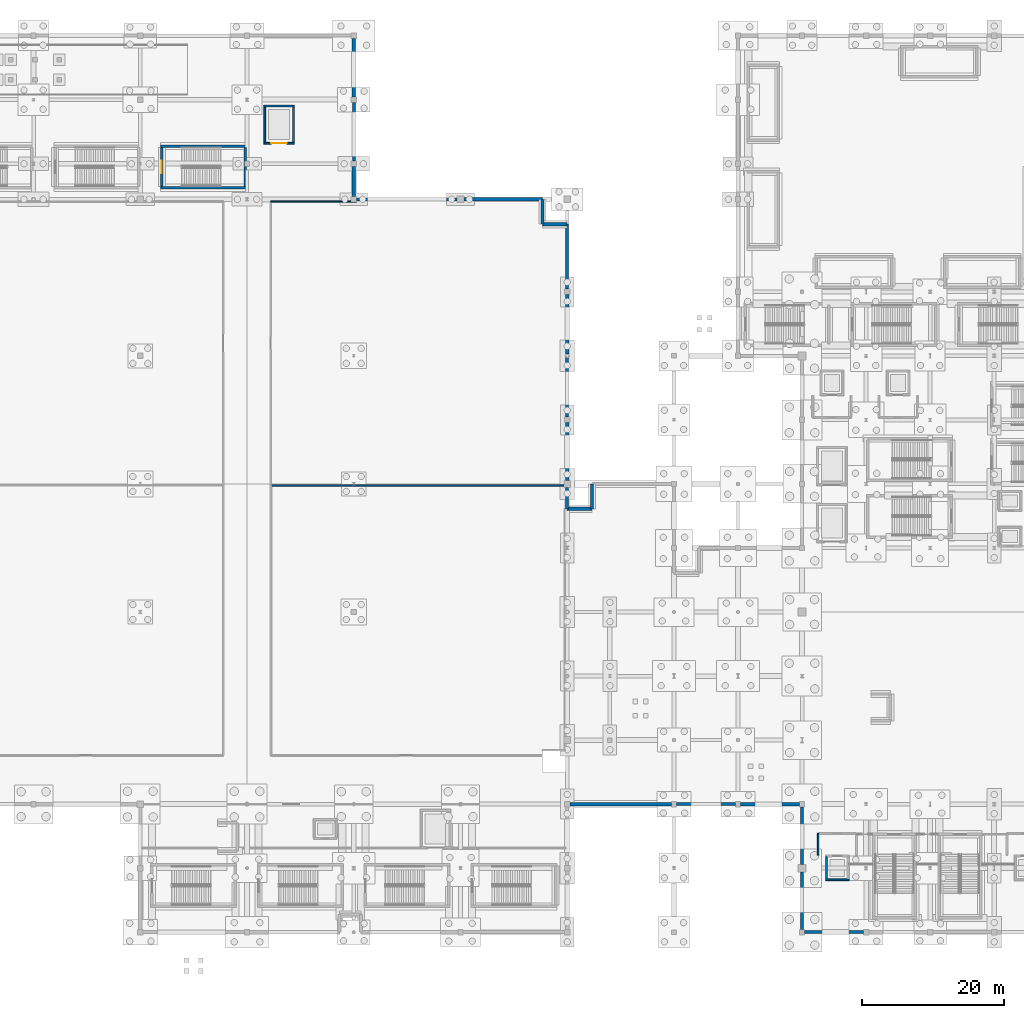
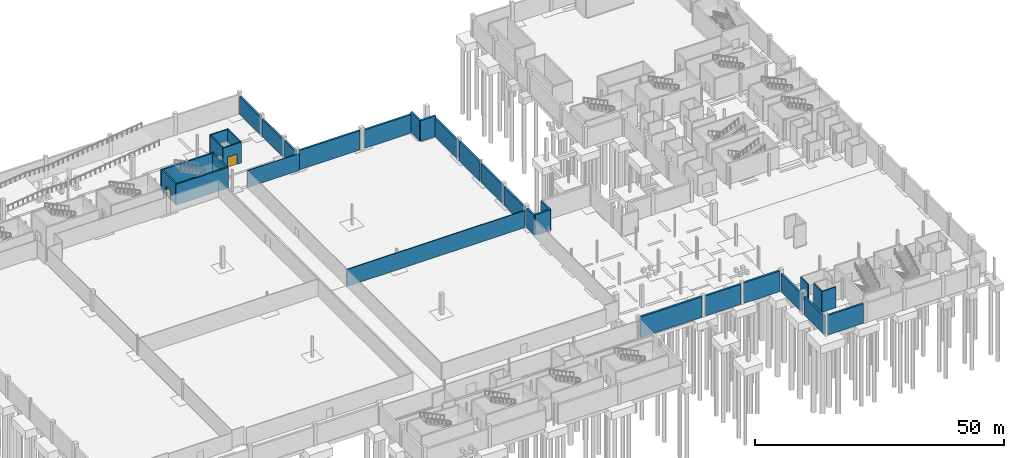
# One storey, part 41 of 58: 33 walls, 2 doors, 2 openings.
"""IFC4 building model written with IfcOpenShell, lengths in metres."""

from ifc_helpers import new_model, si_unit, direction, frame, frame_2d, origin, place, context, subcontext, project, spatial, rectangle, extrude, material, layer, layer_set, type_object, element, fill, save


model = new_model("IFC4")

# Units and contexts
model_context = context("Model", 3, precision=1e-05, world=origin(), true_north=direction((0.0, 1.0)))
body_context = subcontext(model_context, "Body", "Model", "MODEL_VIEW")
ifc_project = project(units=[si_unit("LENGTHUNIT", "METRE"), si_unit("AREAUNIT", "SQUARE_METRE"), si_unit("VOLUMEUNIT", "CUBIC_METRE"), si_unit("PLANEANGLEUNIT", "RADIAN"), si_unit("MASSUNIT", "GRAM", prefix="KILO")], contexts=[model_context])

# Site, building, storey
site_placement = place(None, origin())
site = spatial("IfcSite", under=ifc_project, at=site_placement, CompositionType="ELEMENT")
building_placement = place(site_placement, origin())
building = spatial("IfcBuilding", under=site, at=building_placement, Name="Qamarlyn Nura Convention Centre", CompositionType="ELEMENT")
storey_placement = place(building_placement, frame((0.0, 0.0, -5.39990234375)))
storey = spatial("IfcBuildingStorey", under=building, at=storey_placement, Name="B01", CompositionType="ELEMENT", Elevation=-5.39990234375)

# Walls
ifc_material_1 = material(Name="Fire-rated acoustic gypsum board and mineral wool EI 120")
ifc_layer_1 = layer(ifc_material_1, 0.219970703125, Name="WT-COMP-220")
ifc_layer_set_1 = layer_set([ifc_layer_1], Name="Fire-rated acoustic gypsum board and mineral wool EI 120")
wall_type_1 = type_object("IfcWallType", Name="WT-COMP-220", PredefinedType="SOLIDWALL", material=ifc_layer_set_1)
wall_1_placement = place(storey_placement, frame((155.25, 10.85009765625, 0.0), z_axis=(0.0, 0.0, 1.0), x_axis=(0.0, 1.0, 0.0)))
element("IfcWall", 1, at=wall_1_placement, inside=storey, type_object=wall_type_1, Name="B01 firefighting lobby barrier wall FFL-01-W", PredefinedType="SOLIDWALL", context=body_context, shape_type="SweptSolid", body=[
    extrude(rectangle(XDim=3.0498046875, YDim=0.219970703125, at=frame_2d((1.52490234375, 0.0))), origin(), (0.0, 0.0, 1.0), 5.099853515625),
])
ifc_material_2 = material(Name="Concrete C50/60", Category="concrete")
ifc_layer_2 = layer(ifc_material_2, 0.35009765625, Name="WT-CORE-350")
ifc_layer_set_2 = layer_set([ifc_layer_2], Name="Concrete C50/60")
wall_type_2 = type_object("IfcWallType", Name="WT-CORE-350", PredefinedType="SHEAR", material=ifc_layer_set_2)
for number, where, z_axis, x_axis, name in (
    (2, (62.85009765625, 104.625, 0.0), (0.0, 0.0, 1.0), (1.0, 0.0, 0.0), "B01 stair core shear wall ST-04-S"),
    (3, (74.949951171875, 110.47509765625, 0.0), (0.0, 0.0, 1.0), (-1.0, 0.0, 0.0), "B01 stair core shear wall ST-04-N"),
):
    element("IfcWall", number, at=place(storey_placement, frame(where, z_axis=z_axis, x_axis=x_axis)), inside=storey, type_object=wall_type_2, Name=name, PredefinedType="SHEAR", context=body_context, shape_type="SweptSolid", body=[
        extrude(rectangle(XDim=12.099853515625, YDim=0.35009765625, at=frame_2d((6.0498046875, 0.0))), origin(), (0.0, 0.0, 1.0), 5.079833984375),
    ])

# Wall, opening, door
wall_2_placement = place(storey_placement, frame((63.02490234375, 110.300048828125, 0.0), z_axis=(0.0, 0.0, 1.0), x_axis=(0.0, -1.0, 0.0)))
wall_2 = element("IfcWall", 4, at=wall_2_placement, inside=storey, type_object=wall_type_2, Name="B01 stair core shear wall ST-04-W", PredefinedType="SHEAR", context=body_context, shape_type="SweptSolid", body=[
    extrude(rectangle(XDim=5.5, YDim=0.35009765625, at=frame_2d((2.75, 0.0))), origin(), (0.0, 0.0, 1.0), 5.079833984375),
])
opening_1_placement = place(wall_2_placement, frame((1.85009765625, 0.0, 0.0)))
opening_1 = element("IfcOpeningElement", 5, at=opening_1_placement, cuts=wall_2, Name="Opening DS-010", PredefinedType="OPENING", context=body_context, shape_type="SweptSolid", body=[
    extrude(rectangle(XDim=1.800048828125, YDim=2.199951171875, at=frame_2d((0.89990234375, 1.10009765625))), frame((0.0, 0.18505859375, 0.0), z_axis=(0.0, -1.0, 0.0), x_axis=(1.0, 0.0, 0.0)), (0.0, 0.0, 1.0), 0.3701171875),
])
ifc_material_3 = material(Name="Galvanised fire-rated hollow steel door", Category="steel")
door_type_1 = type_object("IfcDoorType", Name="DR-STAIR-1800", OperationType="DOUBLE_DOOR_SINGLE_SWING", PredefinedType="DOOR", material=ifc_material_3)
door_1_placement = place(opening_1_placement, origin())
door_1 = element("IfcDoor", 6, at=door_1_placement, inside=storey, type_object=door_type_1, Name="B01 exit stair door ST-04 (DS-010)", OperationType="DOUBLE_DOOR_SINGLE_SWING", OverallHeight=2.199951171875, OverallWidth=1.800048828125, PredefinedType="DOOR", context=body_context, shape_type="SweptSolid", body=[
    extrude(rectangle(XDim=1.800048828125, YDim=2.199951171875, at=frame_2d((0.89990234375, 1.10009765625))), frame((0.0, 0.02490234375, 0.0), z_axis=(0.0, -1.0, 0.0), x_axis=(1.0, 0.0, 0.0)), (0.0, 0.0, 1.0), 0.050048828125),
])
fill(opening_1, door_1)

# Walls
wall_3_placement = place(storey_placement, frame((74.77490234375, 104.800048828125, 0.0), z_axis=(0.0, 0.0, 1.0), x_axis=(0.0, 1.0, 0.0)))
element("IfcWall", 7, at=wall_3_placement, inside=storey, type_object=wall_type_2, Name="B01 stair core shear wall ST-04-E", PredefinedType="SHEAR", context=body_context, shape_type="SweptSolid", body=[
    extrude(rectangle(XDim=5.5, YDim=0.35009765625, at=frame_2d((2.75, 0.0))), origin(), (0.0, 0.0, 1.0), 5.079833984375),
])
ifc_material_4 = material(Name="Fire-rated acoustic gypsum board EI 60")
ifc_layer_3 = layer(ifc_material_4, 0.159912109375, Name="WT-PART-160")
ifc_layer_set_3 = layer_set([ifc_layer_3], Name="Fire-rated acoustic gypsum board EI 60")
wall_type_3 = type_object("IfcWallType", Name="WT-PART-160", PredefinedType="PARTITIONING", material=ifc_layer_set_3)
wall_4_placement = place(storey_placement, frame((78.340087890625, 102.699951171875, 0.0), z_axis=(0.0, 0.0, 1.0), x_axis=(1.0, 0.0, 0.0)))
element("IfcWall", 8, at=wall_4_placement, inside=storey, type_object=wall_type_3, Name="B01 interior partition B01-PLT-ELEC-22-1", PredefinedType="PARTITIONING", context=body_context, shape_type="SweptSolid", body=[
    extrude(rectangle(XDim=12.034912109375, YDim=0.159912109375, at=frame_2d((6.017578125, 0.0))), origin(), (0.0, 0.0, 1.0), 4.179931640625),
])
ifc_layer_4 = layer(ifc_material_4, 0.199951171875, Name="WT-PART-200")
ifc_layer_set_4 = layer_set([ifc_layer_4], Name="Fire-rated acoustic gypsum board EI 60")
wall_type_4 = type_object("IfcWallType", Name="WT-PART-200", PredefinedType="PARTITIONING", material=ifc_layer_set_4)
wall_5_placement = place(storey_placement, frame((78.340087890625, 62.800048828125, 0.0), z_axis=(0.0, 0.0, 1.0), x_axis=(1.0, 0.0, 0.0)))
element("IfcWall", 9, at=wall_5_placement, inside=storey, type_object=wall_type_4, Name="B01 interior partition B01-PLT-CHIL-22-1", PredefinedType="PARTITIONING", context=body_context, shape_type="SweptSolid", body=[
    extrude(rectangle(XDim=41.179931640625, YDim=0.199951171875, at=frame_2d((20.58984375, 0.0))), origin(), (0.0, 0.0, 1.0), 4.179931640625),
])
ifc_material_5 = material(Name="Concrete C40/50", Category="concrete")
ifc_layer_5 = layer(ifc_material_5, 0.419921875, Name="WT-RET-420")
ifc_layer_set_5 = layer_set([ifc_layer_5], Name="Concrete C40/50")
wall_type_5 = type_object("IfcWallType", Name="WT-RET-420", PredefinedType="USERDEFINED", material=ifc_layer_set_5)
wall_6_placement = place(storey_placement, frame((90.0, 116.625, 0.0), z_axis=(0.0, 0.0, 1.0), x_axis=(0.0, -1.0, 0.0)))
element("IfcWall", 10, at=wall_6_placement, inside=storey, type_object=wall_type_5, Name="B01 perimeter retaining wall 24", ObjectType="RETAININGWALL", PredefinedType="USERDEFINED", context=body_context, shape_type="SweptSolid", body=[
    extrude(rectangle(XDim=8.25, YDim=0.419921875, at=frame_2d((4.125, 0.0))), origin(), (0.0, 0.0, 1.0), 4.2919921875),
])
wall_7_placement = place(storey_placement, frame((90.375, 103.0, 0.0), z_axis=(0.0, 0.0, 1.0), x_axis=(1.0, 0.0, 0.0)))
element("IfcWall", 11, at=wall_7_placement, inside=storey, type_object=wall_type_5, Name="B01 perimeter retaining wall 26", ObjectType="RETAININGWALL", PredefinedType="USERDEFINED", context=body_context, shape_type="SweptSolid", body=[
    extrude(rectangle(XDim=14.14990234375, YDim=0.419921875, at=frame_2d((7.074951171875, 0.0))), origin(), (0.0, 0.0, 1.0), 4.73486328125),
])
wall_8_placement = place(storey_placement, frame((116.5, 103.0, 0.0), z_axis=(0.0, 0.0, 1.0), x_axis=(0.0, -1.0, 0.0)))
element("IfcWall", 12, at=wall_8_placement, inside=storey, type_object=wall_type_5, Name="B01 perimeter retaining wall 28", ObjectType="RETAININGWALL", PredefinedType="USERDEFINED", context=body_context, shape_type="SweptSolid", body=[
    extrude(rectangle(XDim=3.5, YDim=0.419921875, at=frame_2d((1.75, 0.0))), origin(), (0.0, 0.0, 1.0), 5.0498046875),
])
wall_9_placement = place(storey_placement, frame((120.0, 99.5, 0.0), z_axis=(0.0, 0.0, 1.0), x_axis=(0.0, -1.0, 0.0)))
element("IfcWall", 13, at=wall_9_placement, inside=storey, type_object=wall_type_5, Name="B01 perimeter retaining wall 30", ObjectType="RETAININGWALL", PredefinedType="USERDEFINED", context=body_context, shape_type="SweptSolid", body=[
    extrude(rectangle(XDim=9.125, YDim=0.419921875, at=frame_2d((4.5625, 0.0))), origin(), (0.0, 0.0, 1.0), 4.495849609375),
])
wall_10_placement = place(storey_placement, frame((120.0, 80.74609375, 0.0), z_axis=(0.0, 0.0, 1.0), x_axis=(0.0, -1.0, 0.0)))
element("IfcWall", 14, at=wall_10_placement, inside=storey, type_object=wall_type_5, Name="B01 perimeter retaining wall 32", ObjectType="RETAININGWALL", PredefinedType="USERDEFINED", context=body_context, shape_type="SweptSolid", body=[
    extrude(rectangle(XDim=8.37109375, YDim=0.419921875, at=frame_2d((4.185546875, 0.0))), origin(), (0.0, 0.0, 1.0), 4.56884765625),
])
wall_11_placement = place(storey_placement, frame((120.0, 62.52490234375, 0.0), z_axis=(0.0, 0.0, 1.0), x_axis=(0.0, -1.0, 0.0)))
element("IfcWall", 15, at=wall_11_placement, inside=storey, type_object=wall_type_5, Name="B01 perimeter retaining wall 34", ObjectType="RETAININGWALL", PredefinedType="USERDEFINED", context=body_context, shape_type="SweptSolid", body=[
    extrude(rectangle(XDim=3.02490234375, YDim=0.419921875, at=frame_2d((1.512451171875, 0.0))), origin(), (0.0, 0.0, 1.0), 4.73486328125),
])
wall_12_placement = place(storey_placement, frame((123.5, 59.5, 0.0), z_axis=(0.0, 0.0, 1.0), x_axis=(0.0, 1.0, 0.0)))
element("IfcWall", 16, at=wall_12_placement, inside=storey, type_object=wall_type_5, Name="B01 perimeter retaining wall 36", ObjectType="RETAININGWALL", PredefinedType="USERDEFINED", context=body_context, shape_type="SweptSolid", body=[
    extrude(rectangle(XDim=3.5, YDim=0.419921875, at=frame_2d((1.75, 0.0))), origin(), (0.0, 0.0, 1.0), 5.0498046875),
])
wall_13_placement = place(storey_placement, frame((161.625, 0.0, 0.0), z_axis=(0.0, 0.0, 1.0), x_axis=(-1.0, 0.0, 0.0)))
element("IfcWall", 17, at=wall_13_placement, inside=storey, type_object=wall_type_5, Name="B01 perimeter retaining wall 84", ObjectType="RETAININGWALL", PredefinedType="USERDEFINED", context=body_context, shape_type="SweptSolid", body=[
    extrude(rectangle(XDim=8.25, YDim=0.419921875, at=frame_2d((4.125, 0.0))), origin(), (0.0, 0.0, 1.0), 4.804931640625),
])
wall_14_placement = place(storey_placement, frame((153.0, 9.550048828125, 0.0), z_axis=(0.0, 0.0, 1.0), x_axis=(0.0, 1.0, 0.0)))
element("IfcWall", 18, at=wall_14_placement, inside=storey, type_object=wall_type_5, Name="B01 perimeter retaining wall 86", ObjectType="RETAININGWALL", PredefinedType="USERDEFINED", context=body_context, shape_type="SweptSolid", body=[
    extrude(rectangle(XDim=8.074951171875, YDim=0.419921875, at=frame_2d((4.03759765625, 0.0))), origin(), (0.0, 0.0, 1.0), 4.4208984375),
])
wall_15_placement = place(storey_placement, frame((143.625, 18.0, 0.0), z_axis=(0.0, 0.0, 1.0), x_axis=(-1.0, 0.0, 0.0)))
element("IfcWall", 19, at=wall_15_placement, inside=storey, type_object=wall_type_5, Name="B01 perimeter retaining wall 88", ObjectType="RETAININGWALL", PredefinedType="USERDEFINED", context=body_context, shape_type="SweptSolid", body=[
    extrude(rectangle(XDim=8.25, YDim=0.419921875, at=frame_2d((4.125, 0.0))), origin(), (0.0, 0.0, 1.0), 4.9189453125),
])
ifc_layer_6 = layer(ifc_material_5, 0.449951171875, Name="WT-RET-450")
ifc_layer_set_6 = layer_set([ifc_layer_6], Name="Concrete C40/50")
wall_type_6 = type_object("IfcWallType", Name="WT-RET-450", PredefinedType="USERDEFINED", material=ifc_layer_set_6)
wall_16_placement = place(storey_placement, frame((90.0, 125.625, 0.0), z_axis=(0.0, 0.0, 1.0), x_axis=(0.0, -1.0, 0.0)))
element("IfcWall", 20, at=wall_16_placement, inside=storey, type_object=wall_type_6, Name="B01 perimeter retaining wall 23", ObjectType="RETAININGWALL", PredefinedType="USERDEFINED", context=body_context, shape_type="SweptSolid", body=[
    extrude(rectangle(XDim=8.25, YDim=0.449951171875, at=frame_2d((4.125, 0.0))), origin(), (0.0, 0.0, 1.0), 4.369873046875),
])
wall_17_placement = place(storey_placement, frame((90.0, 107.625, 0.0), z_axis=(0.0, 0.0, 1.0), x_axis=(0.0, -1.0, 0.0)))
element("IfcWall", 21, at=wall_17_placement, inside=storey, type_object=wall_type_6, Name="B01 perimeter retaining wall 25", ObjectType="RETAININGWALL", PredefinedType="USERDEFINED", context=body_context, shape_type="SweptSolid", body=[
    extrude(rectangle(XDim=4.25, YDim=0.449951171875, at=frame_2d((2.125, 0.0))), origin(), (0.0, 0.0, 1.0), 4.453857421875),
])
wall_18_placement = place(storey_placement, frame((105.47509765625, 103.0, 0.0), z_axis=(0.0, 0.0, 1.0), x_axis=(1.0, 0.0, 0.0)))
element("IfcWall", 22, at=wall_18_placement, inside=storey, type_object=wall_type_6, Name="B01 perimeter retaining wall 27", ObjectType="RETAININGWALL", PredefinedType="USERDEFINED", context=body_context, shape_type="SweptSolid", body=[
    extrude(rectangle(XDim=11.02490234375, YDim=0.449951171875, at=frame_2d((5.512451171875, 0.0))), origin(), (0.0, 0.0, 1.0), 4.495849609375),
])
wall_19_placement = place(storey_placement, frame((116.5, 99.5, 0.0), z_axis=(0.0, 0.0, 1.0), x_axis=(1.0, 0.0, 0.0)))
element("IfcWall", 23, at=wall_19_placement, inside=storey, type_object=wall_type_6, Name="B01 perimeter retaining wall 29", ObjectType="RETAININGWALL", PredefinedType="USERDEFINED", context=body_context, shape_type="SweptSolid", body=[
    extrude(rectangle(XDim=3.5, YDim=0.449951171875, at=frame_2d((1.75, 0.0))), origin(), (0.0, 0.0, 1.0), 5.0498046875),
])
wall_20_placement = place(storey_placement, frame((120.0, 89.625, 0.0), z_axis=(0.0, 0.0, 1.0), x_axis=(0.0, -1.0, 0.0)))
element("IfcWall", 24, at=wall_20_placement, inside=storey, type_object=wall_type_6, Name="B01 perimeter retaining wall 31", ObjectType="RETAININGWALL", PredefinedType="USERDEFINED", context=body_context, shape_type="SweptSolid", body=[
    extrude(rectangle(XDim=8.37109375, YDim=0.449951171875, at=frame_2d((4.185546875, 0.0))), origin(), (0.0, 0.0, 1.0), 4.73486328125),
])
wall_21_placement = place(storey_placement, frame((120.0, 71.625, 0.0), z_axis=(0.0, 0.0, 1.0), x_axis=(0.0, -1.0, 0.0)))
element("IfcWall", 25, at=wall_21_placement, inside=storey, type_object=wall_type_6, Name="B01 perimeter retaining wall 33", ObjectType="RETAININGWALL", PredefinedType="USERDEFINED", context=body_context, shape_type="SweptSolid", body=[
    extrude(rectangle(XDim=8.14990234375, YDim=0.449951171875, at=frame_2d((4.074951171875, 0.0))), origin(), (0.0, 0.0, 1.0), 4.495849609375),
])
wall_22_placement = place(storey_placement, frame((120.0, 59.5, 0.0), z_axis=(0.0, 0.0, 1.0), x_axis=(1.0, 0.0, 0.0)))
element("IfcWall", 26, at=wall_22_placement, inside=storey, type_object=wall_type_6, Name="B01 perimeter retaining wall 35", ObjectType="RETAININGWALL", PredefinedType="USERDEFINED", context=body_context, shape_type="SweptSolid", body=[
    extrude(rectangle(XDim=3.5, YDim=0.449951171875, at=frame_2d((1.75, 0.0))), origin(), (0.0, 0.0, 1.0), 5.0498046875),
])
wall_23_placement = place(storey_placement, frame((153.0, 0.375, 0.0), z_axis=(0.0, 0.0, 1.0), x_axis=(0.0, 1.0, 0.0)))
element("IfcWall", 27, at=wall_23_placement, inside=storey, type_object=wall_type_6, Name="B01 perimeter retaining wall 85", ObjectType="RETAININGWALL", PredefinedType="USERDEFINED", context=body_context, shape_type="SweptSolid", body=[
    extrude(rectangle(XDim=8.074951171875, YDim=0.449951171875, at=frame_2d((4.03759765625, 0.0))), origin(), (0.0, 0.0, 1.0), 4.409912109375),
])
wall_24_placement = place(storey_placement, frame((152.625, 18.0, 0.0), z_axis=(0.0, 0.0, 1.0), x_axis=(-1.0, 0.0, 0.0)))
element("IfcWall", 28, at=wall_24_placement, inside=storey, type_object=wall_type_6, Name="B01 perimeter retaining wall 87", ObjectType="RETAININGWALL", PredefinedType="USERDEFINED", context=body_context, shape_type="SweptSolid", body=[
    extrude(rectangle(XDim=8.25, YDim=0.449951171875, at=frame_2d((4.125, 0.0))), origin(), (0.0, 0.0, 1.0), 5.0498046875),
])
wall_25_placement = place(storey_placement, frame((134.625, 18.0, 0.0), z_axis=(0.0, 0.0, 1.0), x_axis=(-1.0, 0.0, 0.0)))
element("IfcWall", 29, at=wall_25_placement, inside=storey, type_object=wall_type_6, Name="B01 perimeter retaining wall 89", ObjectType="RETAININGWALL", PredefinedType="USERDEFINED", context=body_context, shape_type="SweptSolid", body=[
    extrude(rectangle(XDim=14.25, YDim=0.449951171875, at=frame_2d((7.125, 0.0))), origin(), (0.0, 0.0, 1.0), 5.0498046875),
])
ifc_layer_7 = layer(ifc_material_1, 0.25, Name="WT-SHAFT-250")
ifc_layer_set_7 = layer_set([ifc_layer_7], Name="Fire-rated acoustic gypsum board and mineral wool EI 120")
wall_type_7 = type_object("IfcWallType", Name="WT-SHAFT-250", PredefinedType="SOLIDWALL", material=ifc_layer_set_7)
wall_26_placement = place(storey_placement, frame((156.300048828125, 7.375, 0.0), z_axis=(0.0, 0.0, 1.0), x_axis=(1.0, 0.0, 0.0)))
element("IfcWall", 30, at=wall_26_placement, inside=storey, type_object=wall_type_7, Name="B01 lift shaft enclosure wall FFL-01 -y", PredefinedType="SOLIDWALL", context=body_context, shape_type="SweptSolid", body=[
    extrude(rectangle(XDim=3.300048828125, YDim=0.25, at=frame_2d((1.64990234375, 0.0))), origin(), (0.0, 0.0, 1.0), 5.099853515625),
])
wall_27_placement = place(storey_placement, frame((156.425048828125, 10.60009765625, 0.0), z_axis=(0.0, 0.0, 1.0), x_axis=(0.0, -1.0, 0.0)))
element("IfcWall", 31, at=wall_27_placement, inside=storey, type_object=wall_type_7, Name="B01 lift shaft enclosure wall FFL-01 -x", PredefinedType="SOLIDWALL", context=body_context, shape_type="SweptSolid", body=[
    extrude(rectangle(XDim=3.10009765625, YDim=0.25, at=frame_2d((1.550048828125, 0.0))), origin(), (0.0, 0.0, 1.0), 5.099853515625),
])

# Wall, opening, door
wall_28_placement = place(storey_placement, frame((77.35009765625, 110.875, 0.0), z_axis=(0.0, 0.0, 1.0), x_axis=(1.0, 0.0, 0.0)))
wall_28 = element("IfcWall", 32, at=wall_28_placement, inside=storey, type_object=wall_type_7, Name="B01 lift shaft enclosure wall FL-01 -y", PredefinedType="SOLIDWALL", context=body_context, shape_type="SweptSolid", body=[
    extrude(rectangle(XDim=4.2998046875, YDim=0.25, at=frame_2d((2.14990234375, 0.0))), origin(), (0.0, 0.0, 1.0), 5.099853515625),
])
opening_2_placement = place(wall_28_placement, frame((1.050048828125, 0.0, 0.0)))
opening_2 = element("IfcOpeningElement", 33, at=opening_2_placement, cuts=wall_28, Name="Opening LD-FL-01-B01", PredefinedType="OPENING", context=body_context, shape_type="SweptSolid", body=[
    extrude(rectangle(XDim=2.199951171875, YDim=2.5, at=frame_2d((1.10009765625, 1.25))), frame((0.0, 0.135009765625, 0.0), z_axis=(0.0, -1.0, 0.0), x_axis=(1.0, 0.0, 0.0)), (0.0, 0.0, 1.0), 0.27001953125),
])
door_type_2 = type_object("IfcDoorType", Name="DR-LD-FRT", OperationType="DOUBLE_DOOR_SLIDING", PredefinedType="DOOR", material=ifc_material_3)
door_2_placement = place(opening_2_placement, origin())
door_2 = element("IfcDoor", 34, at=door_2_placement, inside=storey, type_object=door_type_2, Name="Lift landing door LD-FL-01-B01", OperationType="DOUBLE_DOOR_SLIDING", OverallHeight=2.5, OverallWidth=2.199951171875, PredefinedType="DOOR", context=body_context, shape_type="SweptSolid", body=[
    extrude(rectangle(XDim=2.199951171875, YDim=2.5, at=frame_2d((1.10009765625, 1.25))), frame((0.0, 0.02490234375, 0.0), z_axis=(0.0, -1.0, 0.0), x_axis=(1.0, 0.0, 0.0)), (0.0, 0.0, 1.0), 0.050048828125),
])
fill(opening_2, door_2)

# Walls
wall_29_placement = place(storey_placement, frame((81.64990234375, 116.125, 0.0), z_axis=(0.0, 0.0, 1.0), x_axis=(-1.0, 0.0, 0.0)))
element("IfcWall", 35, at=wall_29_placement, inside=storey, type_object=wall_type_7, Name="B01 lift shaft enclosure wall FL-01 +y", PredefinedType="SOLIDWALL", context=body_context, shape_type="SweptSolid", body=[
    extrude(rectangle(XDim=4.2998046875, YDim=0.25, at=frame_2d((2.14990234375, 0.0))), origin(), (0.0, 0.0, 1.0), 5.099853515625),
])
for number, where, z_axis, x_axis, name in (
    (36, (77.47509765625, 116.0, 0.0), (0.0, 0.0, 1.0), (0.0, -1.0, 0.0), "B01 lift shaft enclosure wall FL-01 -x"),
    (37, (81.52490234375, 111.0, 0.0), (0.0, 0.0, 1.0), (0.0, 1.0, 0.0), "B01 lift shaft enclosure wall FL-01 +x"),
):
    element("IfcWall", number, at=place(storey_placement, frame(where, z_axis=z_axis, x_axis=x_axis)), inside=storey, type_object=wall_type_7, Name=name, PredefinedType="SOLIDWALL", context=body_context, shape_type="SweptSolid", body=[
        extrude(rectangle(XDim=5.0, YDim=0.25, at=frame_2d((2.5, 0.0))), origin(), (0.0, 0.0, 1.0), 5.099853515625),
    ])

save(model, "model.ifc")
